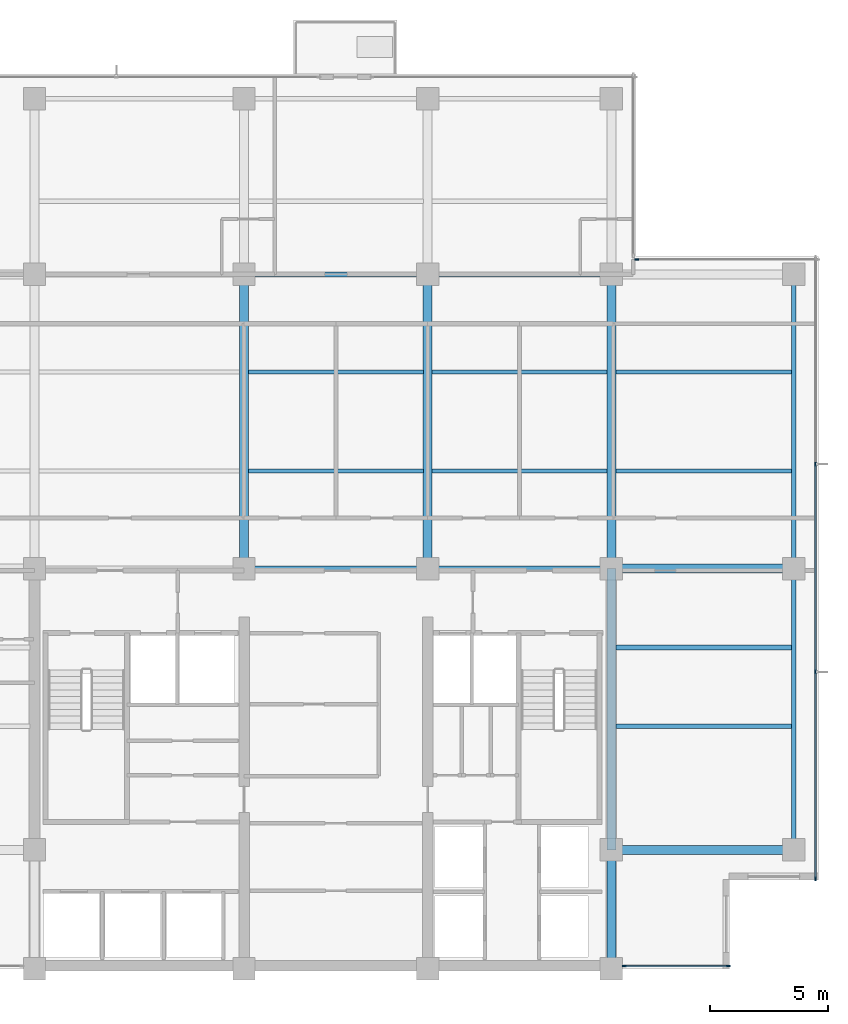
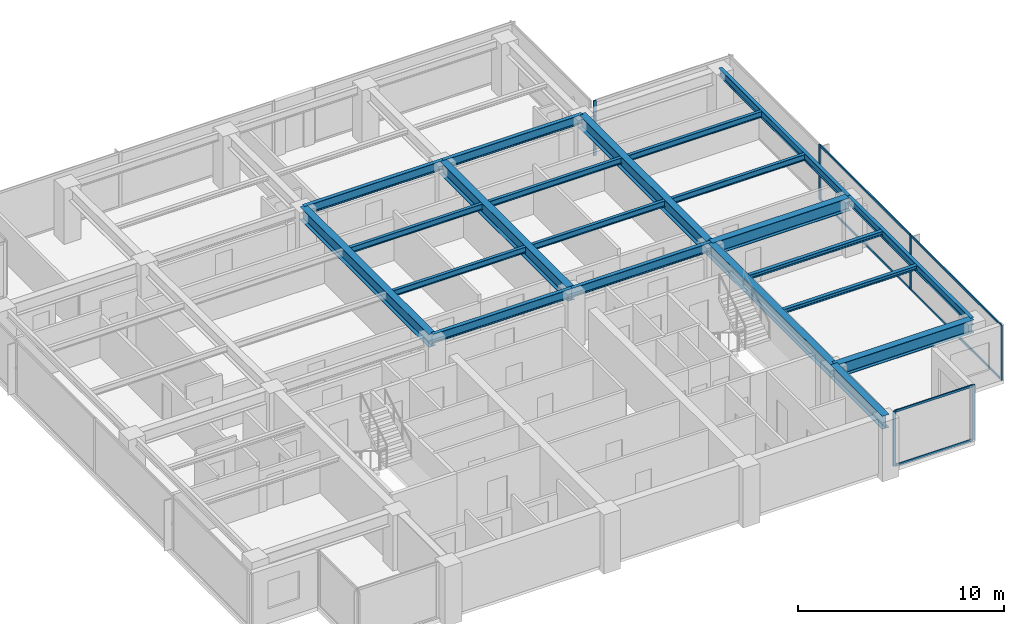
# One storey, part 3 of 15: 21 beams, 12 members, 3 elements without a shape of their own.
"""IFC4 building model written with IfcOpenShell, lengths in metres."""

from ifc_helpers import new_model, si_unit, direction, frame, origin, origin_2d, place, context, subcontext, project, spatial, rectangle, i_section, extrude, material, layer, layer_set, material_profile, profile_set, type_object, element, aggregate, save


model = new_model("IFC4")

# Units and contexts
model_context = context("Model", 3, precision=1e-05, world=origin(), true_north=direction((0.0, 1.0)))
body_context = subcontext(model_context, "Body", "Model", "MODEL_VIEW")
ifc_project = project(units=[si_unit("LENGTHUNIT", "METRE"), si_unit("AREAUNIT", "SQUARE_METRE"), si_unit("VOLUMEUNIT", "CUBIC_METRE"), si_unit("PLANEANGLEUNIT", "RADIAN"), si_unit("MASSUNIT", "GRAM", prefix="KILO")], contexts=[model_context])

# Site, building, storey
site_placement = place(None, origin())
site = spatial("IfcSite", under=ifc_project, at=site_placement, CompositionType="ELEMENT")
building_placement = place(site_placement, origin())
building = spatial("IfcBuilding", under=site, at=building_placement, Name="Qalmaran Belvedere Hotel", CompositionType="ELEMENT")
storey_placement = place(building_placement, frame((0.0, 0.0, 221.39990234375)))
storey = spatial("IfcBuildingStorey", under=building, at=storey_placement, Name="L56", CompositionType="ELEMENT", Elevation=221.39990234375)

# Beams
ifc_material_1 = material(Name="Steel S355JR", Category="steel")
ifc_material_profile_1 = material_profile(ifc_material_1, i_section(OverallWidth=0.201904296875, OverallDepth=0.2470703125, WebThickness=0.00732421875, FlangeThickness=0.010986328125, FilletRadius=0.011962890625, at=origin_2d()), Name="W250X49")
ifc_profile_set_1 = profile_set([ifc_material_profile_1], Name="Steel S355JR")
beam_type_1 = type_object("IfcBeamType", Name="BM-JST-W250X49", PredefinedType="JOIST", material=ifc_profile_set_1)
for number, where, z_axis, x_axis, name in (
    (1, (44.988525390625, 13.800048828125, 3.13671875), (1.0, 0.0, 0.0), (0.0, 1.0, 0.0), "L56 East Wing Joist 039"),
    (2, (44.988525390625, 17.14990234375, 3.13671875), (1.0, 0.0, 0.0), (0.0, 1.0, 0.0), "L56 East Wing Joist 041"),
):
    element("IfcBeam", number, at=place(storey_placement, frame(where, z_axis=z_axis, x_axis=x_axis)), inside=storey, type_object=beam_type_1, Name=name, PredefinedType="JOIST", context=body_context, shape_type="SweptSolid", body=[
        extrude(i_section(OverallWidth=0.201904296875, OverallDepth=0.2470703125, WebThickness=0.00732421875, FlangeThickness=0.010986328125, FilletRadius=0.011962890625, at=origin_2d()), origin(), (0.0, 0.0, 1.0), 7.467529296875),
    ])
ifc_material_profile_2 = material_profile(ifc_material_1, i_section(OverallWidth=0.381103515625, OverallDepth=0.77294921875, WebThickness=0.0166015625, FlangeThickness=0.027099609375, FilletRadius=0.02197265625, at=origin_2d()), Name="W760X257")
ifc_profile_set_2 = profile_set([ifc_material_profile_2], Name="Steel S355JR")
beam_type_2 = type_object("IfcBeamType", Name="BM-PG4-W760X257", PredefinedType="USERDEFINED", material=ifc_profile_set_2)
for number, where, z_axis, x_axis, name in (
    (3, (29.199951171875, 20.5, 2.87353515625), (0.0, 1.0, 0.0), (-1.0, 0.0, 0.0), "L56 Mid-Plate N-S Girder 16"),
    (4, (37.0, 20.5, 2.87353515625), (0.0, 1.0, 0.0), (-1.0, 0.0, 0.0), "L56 Mid-Plate N-S Girder 18"),
    (5, (44.800048828125, 20.5, 2.87353515625), (0.0, 1.0, 0.0), (-1.0, 0.0, 0.0), "L56 Mid-Plate N-S Girder 20"),
):
    element("IfcBeam", number, at=place(storey_placement, frame(where, z_axis=z_axis, x_axis=x_axis)), inside=storey, type_object=beam_type_2, Name=name, ObjectType="GIRDER", PredefinedType="USERDEFINED", context=body_context, shape_type="SweptSolid", body=[
        extrude(i_section(OverallWidth=0.381103515625, OverallDepth=0.77294921875, WebThickness=0.0166015625, FlangeThickness=0.027099609375, FilletRadius=0.02197265625, at=origin_2d()), origin(), (0.0, 0.0, 1.0), 12.5),
    ])
beam_1_placement = place(storey_placement, frame((44.800048828125, 3.5, 2.87353515625), z_axis=(0.0, 1.0, 0.0), x_axis=(-1.0, 0.0, 0.0)))
element("IfcBeam", 6, at=beam_1_placement, inside=storey, type_object=beam_type_2, Name="L56 East Core Edge Girder A", ObjectType="GIRDER", PredefinedType="USERDEFINED", context=body_context, shape_type="SweptSolid", body=[
    extrude(i_section(OverallWidth=0.381103515625, OverallDepth=0.77294921875, WebThickness=0.0166015625, FlangeThickness=0.027099609375, FilletRadius=0.02197265625, at=origin_2d()), origin(), (0.0, 0.0, 1.0), 5.050048828125),
])
beam_2_placement = place(storey_placement, frame((44.800048828125, 8.550048828125, 2.87353515625), z_axis=(0.0, 1.0, 0.0), x_axis=(-1.0, 0.0, 0.0)))
element("IfcBeam", 7, at=beam_2_placement, inside=storey, type_object=beam_type_2, Name="L56 East Core Edge Girder B", ObjectType="GIRDER", PredefinedType="USERDEFINED", context=body_context, shape_type="SweptSolid", body=[
    extrude(i_section(OverallWidth=0.381103515625, OverallDepth=0.77294921875, WebThickness=0.0166015625, FlangeThickness=0.027099609375, FilletRadius=0.02197265625, at=origin_2d()), origin(), (0.0, 0.0, 1.0), 11.949951171875),
])
for number, where, z_axis, x_axis, name in (
    (8, (44.800048828125, 8.550048828125, 2.87353515625), (1.0, 0.0, 0.0), (0.0, 1.0, 0.0), "L56 East Wing Girder 25"),
    (9, (44.800048828125, 20.5, 2.87353515625), (1.0, 0.0, 0.0), (0.0, 1.0, 0.0), "L56 East Wing Girder 26"),
):
    element("IfcBeam", number, at=place(storey_placement, frame(where, z_axis=z_axis, x_axis=x_axis)), inside=storey, type_object=beam_type_2, Name=name, ObjectType="GIRDER", PredefinedType="USERDEFINED", context=body_context, shape_type="SweptSolid", body=[
        extrude(i_section(OverallWidth=0.381103515625, OverallDepth=0.77294921875, WebThickness=0.0166015625, FlangeThickness=0.027099609375, FilletRadius=0.02197265625, at=origin_2d()), origin(), (0.0, 0.0, 1.0), 7.75),
    ])
ifc_material_profile_3 = material_profile(ifc_material_1, i_section(OverallWidth=0.172119140625, OverallDepth=0.35791015625, WebThickness=0.0078125, FlangeThickness=0.01318359375, FilletRadius=0.014892578125, at=origin_2d()), Name="W360X57")
ifc_profile_set_3 = profile_set([ifc_material_profile_3], Name="Steel S355JR")
beam_type_3 = type_object("IfcBeamType", Name="BM-SB4-W360X57", PredefinedType="BEAM", material=ifc_profile_set_3)
for number, where, z_axis, x_axis, name in (
    (10, (29.388427734375, 24.64990234375, 3.0810546875), (1.0, 0.0, 0.0), (0.0, 1.0, 0.0), "L56 Secondary Floor Beam 030"),
    (11, (37.1884765625, 24.64990234375, 3.0810546875), (1.0, 0.0, 0.0), (0.0, 1.0, 0.0), "L56 Secondary Floor Beam 031"),
):
    element("IfcBeam", number, at=place(storey_placement, frame(where, z_axis=z_axis, x_axis=x_axis)), inside=storey, type_object=beam_type_3, Name=name, PredefinedType="BEAM", context=body_context, shape_type="SweptSolid", body=[
        extrude(i_section(OverallWidth=0.172119140625, OverallDepth=0.35791015625, WebThickness=0.0078125, FlangeThickness=0.01318359375, FilletRadius=0.014892578125, at=origin_2d()), origin(), (0.0, 0.0, 1.0), 7.423095703125),
    ])
beam_3_placement = place(storey_placement, frame((44.988525390625, 24.64990234375, 3.0810546875), z_axis=(1.0, 0.0, 0.0), x_axis=(0.0, 1.0, 0.0)))
element("IfcBeam", 12, at=beam_3_placement, inside=storey, type_object=beam_type_3, Name="L56 East Secondary Beam 032", PredefinedType="BEAM", context=body_context, shape_type="SweptSolid", body=[
    extrude(i_section(OverallWidth=0.172119140625, OverallDepth=0.35791015625, WebThickness=0.0078125, FlangeThickness=0.01318359375, FilletRadius=0.014892578125, at=origin_2d()), origin(), (0.0, 0.0, 1.0), 7.467529296875),
])
for number, where, z_axis, x_axis, name in (
    (13, (29.388427734375, 28.85009765625, 3.0810546875), (1.0, 0.0, 0.0), (0.0, 1.0, 0.0), "L56 Secondary Floor Beam 035"),
    (14, (37.1884765625, 28.85009765625, 3.0810546875), (1.0, 0.0, 0.0), (0.0, 1.0, 0.0), "L56 Secondary Floor Beam 036"),
):
    element("IfcBeam", number, at=place(storey_placement, frame(where, z_axis=z_axis, x_axis=x_axis)), inside=storey, type_object=beam_type_3, Name=name, PredefinedType="BEAM", context=body_context, shape_type="SweptSolid", body=[
        extrude(i_section(OverallWidth=0.172119140625, OverallDepth=0.35791015625, WebThickness=0.0078125, FlangeThickness=0.01318359375, FilletRadius=0.014892578125, at=origin_2d()), origin(), (0.0, 0.0, 1.0), 7.423095703125),
    ])
beam_4_placement = place(storey_placement, frame((44.988525390625, 28.85009765625, 3.0810546875), z_axis=(1.0, 0.0, 0.0), x_axis=(0.0, 1.0, 0.0)))
element("IfcBeam", 15, at=beam_4_placement, inside=storey, type_object=beam_type_3, Name="L56 East Secondary Beam 037", PredefinedType="BEAM", context=body_context, shape_type="SweptSolid", body=[
    extrude(i_section(OverallWidth=0.172119140625, OverallDepth=0.35791015625, WebThickness=0.0078125, FlangeThickness=0.01318359375, FilletRadius=0.014892578125, at=origin_2d()), origin(), (0.0, 0.0, 1.0), 7.467529296875),
])
ifc_material_profile_4 = material_profile(ifc_material_1, i_section(OverallWidth=0.19189453125, OverallDepth=0.462890625, WebThickness=0.010498046875, FlangeThickness=0.017578125, FilletRadius=0.01611328125, at=origin_2d()), Name="W460X89")
ifc_profile_set_4 = profile_set([ifc_material_profile_4], Name="Steel S355JR")
beam_type_4 = type_object("IfcBeamType", Name="BM-SP2-W460X89", PredefinedType="SPANDREL", material=ifc_profile_set_4)
beam_5_placement = place(storey_placement, frame((52.550048828125, 8.550048828125, 3.028564453125), z_axis=(0.0, 1.0, 0.0), x_axis=(-1.0, 0.0, 0.0)))
element("IfcBeam", 16, at=beam_5_placement, inside=storey, type_object=beam_type_4, Name="L56 Perimeter Spandrel 03", PredefinedType="SPANDREL", context=body_context, shape_type="SweptSolid", body=[
    extrude(i_section(OverallWidth=0.19189453125, OverallDepth=0.462890625, WebThickness=0.010498046875, FlangeThickness=0.017578125, FilletRadius=0.01611328125, at=origin_2d()), origin(), (0.0, 0.0, 1.0), 11.949951171875),
])
beam_6_placement = place(storey_placement, frame((52.550048828125, 20.5, 3.028564453125), z_axis=(0.0, 1.0, 0.0), x_axis=(-1.0, 0.0, 0.0)))
element("IfcBeam", 17, at=beam_6_placement, inside=storey, type_object=beam_type_4, Name="L56 Perimeter Spandrel 04", PredefinedType="SPANDREL", context=body_context, shape_type="SweptSolid", body=[
    extrude(i_section(OverallWidth=0.19189453125, OverallDepth=0.462890625, WebThickness=0.010498046875, FlangeThickness=0.017578125, FilletRadius=0.01611328125, at=origin_2d()), origin(), (0.0, 0.0, 1.0), 12.5),
])
ifc_material_profile_5 = material_profile(ifc_material_1, i_section(OverallWidth=0.2109375, OverallDepth=0.5390625, WebThickness=0.01171875, FlangeThickness=0.018798828125, FilletRadius=0.01806640625, at=origin_2d()), Name="W530X109")
ifc_profile_set_5 = profile_set([ifc_material_profile_5], Name="Steel S355JR")
beam_type_5 = type_object("IfcBeamType", Name="BM-Z4-W530X109", PredefinedType="USERDEFINED", material=ifc_profile_set_5)
for number, where, z_axis, x_axis, name in (
    (18, (29.199951171875, 20.5, 2.990478515625), (1.0, 0.0, 0.0), (0.0, 1.0, 0.0), "L56 Interior E-W Girder 09"),
    (19, (37.0, 20.5, 2.990478515625), (1.0, 0.0, 0.0), (0.0, 1.0, 0.0), "L56 Interior E-W Girder 10"),
    (20, (29.199951171875, 33.0, 2.990478515625), (1.0, 0.0, 0.0), (0.0, 1.0, 0.0), "L56 Interior E-W Girder 12"),
    (21, (37.0, 33.0, 2.990478515625), (1.0, 0.0, 0.0), (0.0, 1.0, 0.0), "L56 Interior E-W Girder 13"),
):
    element("IfcBeam", number, at=place(storey_placement, frame(where, z_axis=z_axis, x_axis=x_axis)), inside=storey, type_object=beam_type_5, Name=name, ObjectType="GIRDER", PredefinedType="USERDEFINED", context=body_context, shape_type="SweptSolid", body=[
        extrude(i_section(OverallWidth=0.2109375, OverallDepth=0.5390625, WebThickness=0.01171875, FlangeThickness=0.018798828125, FilletRadius=0.01806640625, at=origin_2d()), origin(), (0.0, 0.0, 1.0), 7.800048828125),
    ])

# Curtain wall, members
ifc_material_2 = material(Name="Anodised Bronze Aluminium", Category="aluminium")
ifc_layer = layer(ifc_material_2, 0.18994140625, Name="Anodised Bronze Aluminium")
ifc_layer_set = layer_set([ifc_layer], Name="Anodised Bronze Aluminium")
curtain_wall_type = type_object("IfcCurtainWallType", Name="CW5-TOWER-UPPER", PredefinedType="NOTDEFINED", material=ifc_layer_set)
curtain_wall_1_placement = place(storey_placement, origin())
curtain_wall_1 = element("IfcCurtainWall", 22, at=curtain_wall_1_placement, inside=storey, type_object=curtain_wall_type, Name="L56 Curtain Wall CW5", PredefinedType="NOTDEFINED")
ifc_material_profile_6 = material_profile(ifc_material_2, rectangle(XDim=0.06494140625, YDim=0.1650390625, at=origin_2d()), Name="CWM65X165")
ifc_profile_set_6 = profile_set([ifc_material_profile_6], Name="Anodised Bronze Aluminium")
member_type_1 = type_object("IfcMemberType", Name="CWM-65X165", PredefinedType="MULLION", material=ifc_profile_set_6)
member_1_placement = place(storey_placement, frame((45.347412109375, 3.6201171875, 0.0), z_axis=(0.0, 0.0, 1.0), x_axis=(0.0, 1.0, 0.0)))
member_1 = element("IfcMember", 23, at=member_1_placement, type_object=member_type_1, Name="CW5 mullion 1", PredefinedType="MULLION", context=body_context, shape_type="SweptSolid", body=[
    extrude(rectangle(XDim=0.06494140625, YDim=0.1650390625, at=origin_2d()), origin(), (0.0, 0.0, 1.0), 3.260009765625),
])
member_2_placement = place(storey_placement, frame((49.767578125, 3.6201171875, 0.0), z_axis=(0.0, 0.0, 1.0), x_axis=(0.0, 1.0, 0.0)))
member_2 = element("IfcMember", 24, at=member_2_placement, type_object=member_type_1, Name="CW5 mullion 2", PredefinedType="MULLION", context=body_context, shape_type="SweptSolid", body=[
    extrude(rectangle(XDim=0.06494140625, YDim=0.1650390625, at=origin_2d()), origin(), (0.0, 0.0, 1.0), 3.260009765625),
])

curtain_wall_2_placement = place(storey_placement, origin())
curtain_wall_2 = element("IfcCurtainWall", 25, at=curtain_wall_2_placement, inside=storey, type_object=curtain_wall_type, Name="L56 Curtain Wall CW5", PredefinedType="NOTDEFINED")
member_3_placement = place(storey_placement, frame((53.47998046875, 7.33251953125, 0.0), z_axis=(0.0, 0.0, 1.0), x_axis=(-1.0, 0.0, 0.0)))
member_3 = element("IfcMember", 26, at=member_3_placement, type_object=member_type_1, Name="CW5 mullion 1", PredefinedType="MULLION", context=body_context, shape_type="SweptSolid", body=[
    extrude(rectangle(XDim=0.06494140625, YDim=0.1650390625, at=origin_2d()), origin(), (0.0, 0.0, 1.0), 3.260009765625),
])
member_4_placement = place(storey_placement, frame((53.47998046875, 16.11669921875, 0.0), z_axis=(0.0, 0.0, 1.0), x_axis=(-1.0, 0.0, 0.0)))
member_4 = element("IfcMember", 27, at=member_4_placement, type_object=member_type_1, Name="CW5 mullion 2", PredefinedType="MULLION", context=body_context, shape_type="SweptSolid", body=[
    extrude(rectangle(XDim=0.06494140625, YDim=0.1650390625, at=origin_2d()), origin(), (0.0, 0.0, 1.0), 3.260009765625),
])
member_5_placement = place(storey_placement, frame((53.47998046875, 24.933349609375, 0.0), z_axis=(0.0, 0.0, 1.0), x_axis=(-1.0, 0.0, 0.0)))
member_5 = element("IfcMember", 28, at=member_5_placement, type_object=member_type_1, Name="CW5 mullion 3", PredefinedType="MULLION", context=body_context, shape_type="SweptSolid", body=[
    extrude(rectangle(XDim=0.06494140625, YDim=0.1650390625, at=origin_2d()), origin(), (0.0, 0.0, 1.0), 3.260009765625),
])

# Curtain wall, member
curtain_wall_3_placement = place(storey_placement, origin())
curtain_wall_3 = element("IfcCurtainWall", 29, at=curtain_wall_3_placement, inside=storey, type_object=curtain_wall_type, Name="L56 Curtain Wall CW5", PredefinedType="NOTDEFINED")
member_6_placement = place(storey_placement, frame((45.882568359375, 33.6298828125, 0.0), z_axis=(0.0, 0.0, 1.0), x_axis=(0.0, -1.0, 0.0)))
member_6 = element("IfcMember", 30, at=member_6_placement, type_object=member_type_1, Name="CW5 mullion 2", PredefinedType="MULLION", context=body_context, shape_type="SweptSolid", body=[
    extrude(rectangle(XDim=0.06494140625, YDim=0.1650390625, at=origin_2d()), origin(), (0.0, 0.0, 1.0), 3.260009765625),
])
aggregate(curtain_wall_3, [member_6])

# Member
ifc_material_profile_7 = material_profile(ifc_material_2, rectangle(XDim=0.06494140625, YDim=0.1298828125, at=origin_2d()), Name="CWT65X130")
ifc_profile_set_7 = profile_set([ifc_material_profile_7], Name="Anodised Bronze Aluminium")
member_type_2 = type_object("IfcMemberType", Name="CWT-65X130", PredefinedType="USERDEFINED", material=ifc_profile_set_7)
member_7_placement = place(storey_placement, frame((45.3798828125, 3.6201171875, 0.03271484375), z_axis=(1.0, 0.0, 0.0), x_axis=(0.0, 1.0, 0.0)))
member_7 = element("IfcMember", 31, at=member_7_placement, type_object=member_type_2, Name="CW5 transom 1.1", ObjectType="TRANSOM", PredefinedType="USERDEFINED", context=body_context, shape_type="SweptSolid", body=[
    extrude(rectangle(XDim=0.06494140625, YDim=0.1298828125, at=origin_2d()), origin(), (0.0, 0.0, 1.0), 4.355224609375),
])

member_8_placement = place(storey_placement, frame((45.3798828125, 3.6201171875, 3.2275390625), z_axis=(1.0, 0.0, 0.0), x_axis=(0.0, 1.0, 0.0)))
member_8 = element("IfcMember", 32, at=member_8_placement, type_object=member_type_2, Name="CW5 transom 1.2", ObjectType="TRANSOM", PredefinedType="USERDEFINED", context=body_context, shape_type="SweptSolid", body=[
    extrude(rectangle(XDim=0.06494140625, YDim=0.1298828125, at=origin_2d()), origin(), (0.0, 0.0, 1.0), 4.355224609375),
])

aggregate(curtain_wall_1, [member_1, member_2, member_7, member_8])

member_9_placement = place(storey_placement, frame((53.47998046875, 7.364990234375, 0.03271484375), z_axis=(0.0, 1.0, 0.0), x_axis=(-1.0, 0.0, 0.0)))
member_9 = element("IfcMember", 33, at=member_9_placement, type_object=member_type_2, Name="CW5 transom 1.1", ObjectType="TRANSOM", PredefinedType="USERDEFINED", context=body_context, shape_type="SweptSolid", body=[
    extrude(rectangle(XDim=0.06494140625, YDim=0.1298828125, at=origin_2d()), origin(), (0.0, 0.0, 1.0), 8.71923828125),
])

member_10_placement = place(storey_placement, frame((53.47998046875, 7.364990234375, 3.2275390625), z_axis=(0.0, 1.0, 0.0), x_axis=(-1.0, 0.0, 0.0)))
member_10 = element("IfcMember", 34, at=member_10_placement, type_object=member_type_2, Name="CW5 transom 1.2", ObjectType="TRANSOM", PredefinedType="USERDEFINED", context=body_context, shape_type="SweptSolid", body=[
    extrude(rectangle(XDim=0.06494140625, YDim=0.1298828125, at=origin_2d()), origin(), (0.0, 0.0, 1.0), 8.71923828125),
])

member_11_placement = place(storey_placement, frame((53.47998046875, 16.149169921875, 0.03271484375), z_axis=(0.0, 1.0, 0.0), x_axis=(-1.0, 0.0, 0.0)))
member_11 = element("IfcMember", 35, at=member_11_placement, type_object=member_type_2, Name="CW5 transom 2.1", ObjectType="TRANSOM", PredefinedType="USERDEFINED", context=body_context, shape_type="SweptSolid", body=[
    extrude(rectangle(XDim=0.06494140625, YDim=0.1298828125, at=origin_2d()), origin(), (0.0, 0.0, 1.0), 8.751708984375),
])

member_12_placement = place(storey_placement, frame((53.47998046875, 16.149169921875, 3.2275390625), z_axis=(0.0, 1.0, 0.0), x_axis=(-1.0, 0.0, 0.0)))
member_12 = element("IfcMember", 36, at=member_12_placement, type_object=member_type_2, Name="CW5 transom 2.2", ObjectType="TRANSOM", PredefinedType="USERDEFINED", context=body_context, shape_type="SweptSolid", body=[
    extrude(rectangle(XDim=0.06494140625, YDim=0.1298828125, at=origin_2d()), origin(), (0.0, 0.0, 1.0), 8.751708984375),
])

aggregate(curtain_wall_2, [member_3, member_4, member_5, member_9, member_10, member_11, member_12])

save(model, "model.ifc")
